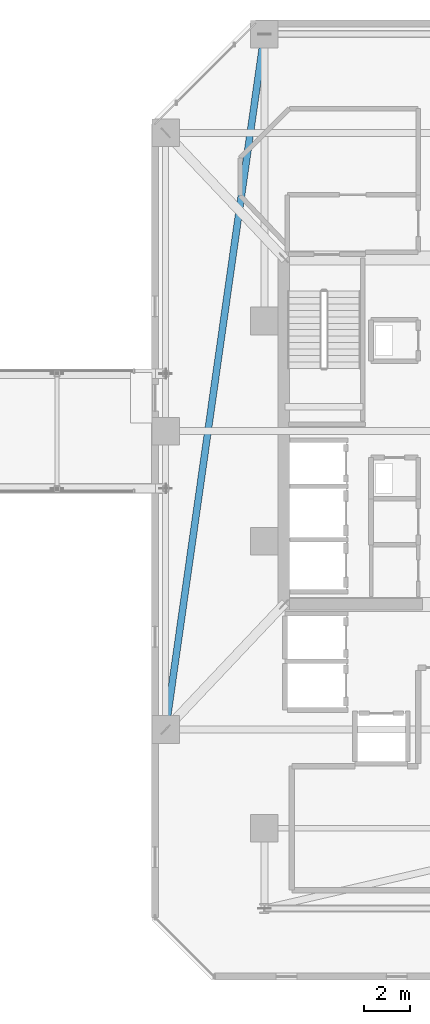
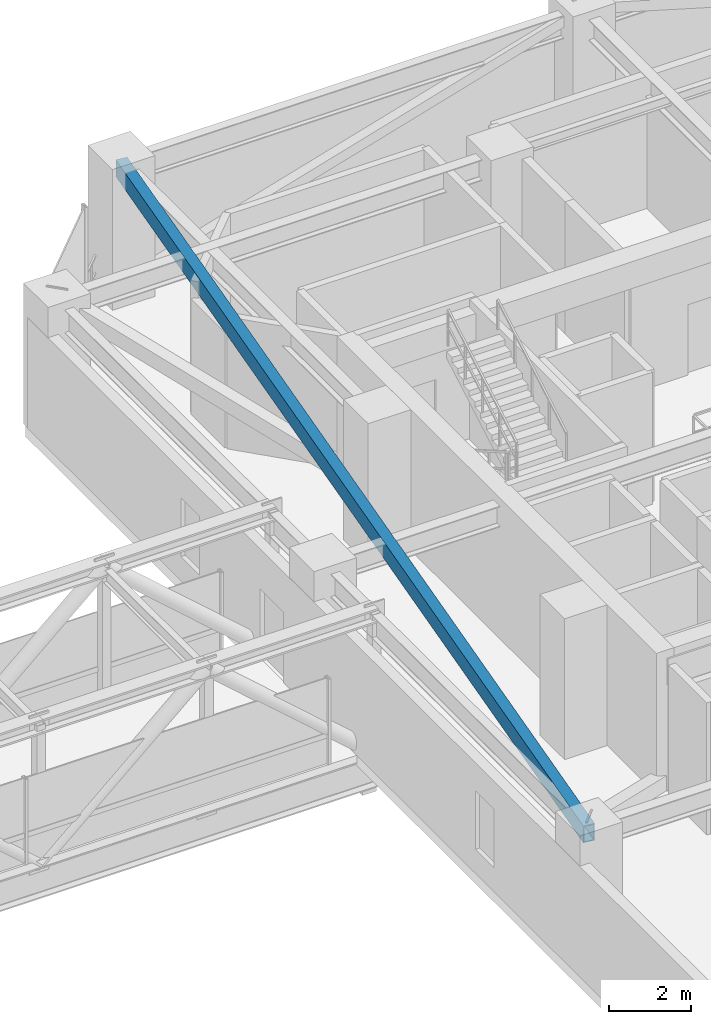
# One storey, part 20 of 45: 1 beam.
"""IFC4 building model written with IfcOpenShell, lengths in metres."""

from ifc_helpers import new_model, si_unit, direction, frame, origin, origin_2d, place, context, subcontext, project, spatial, hollow_rectangle, extrude, material, material_profile, profile_set, type_object, element, save


model = new_model("IFC4")

# Units and contexts
model_context = context("Model", 3, precision=1e-05, world=origin(), true_north=direction((0.0, 1.0)))
body_context = subcontext(model_context, "Body", "Model", "MODEL_VIEW")
ifc_project = project(units=[si_unit("LENGTHUNIT", "METRE"), si_unit("AREAUNIT", "SQUARE_METRE"), si_unit("VOLUMEUNIT", "CUBIC_METRE"), si_unit("PLANEANGLEUNIT", "RADIAN"), si_unit("MASSUNIT", "GRAM", prefix="KILO")], contexts=[model_context])

# Site, building, storey
site_placement = place(None, origin())
site = spatial("IfcSite", under=ifc_project, at=site_placement, CompositionType="ELEMENT")
building_placement = place(site_placement, origin())
building = spatial("IfcBuilding", under=site, at=building_placement, Name="Thornwick Lancets Civic Towers", CompositionType="ELEMENT")
storey_placement = place(building_placement, frame((0.0, 0.0, 141.300048828125)))
storey = spatial("IfcBuildingStorey", under=building, at=storey_placement, Name="L37", CompositionType="ELEMENT", Elevation=141.300048828125)

# Beam
ifc_material = material(Name="Steel S460M", Category="steel")
ifc_material_profile = material_profile(ifc_material, hollow_rectangle(XDim=0.300048828125, YDim=0.5, WallThickness=0.02001953125, at=origin_2d()), Name="RHS 500x300x20")
ifc_profile_set = profile_set([ifc_material_profile], Name="Steel S460M")
beam_type = type_object("IfcBeamType", Name="BM_RING_RHS500", PredefinedType="BEAM", material=ifc_profile_set)
beam_placement = place(storey_placement, frame((75.5, 44.300048828125, 3.7099609375), z_axis=(-0.140507712682, -0.990079584012, 0.0), x_axis=(0.990079584012, -0.140507712682, 0.0)))
element("IfcBeam", 1, at=beam_placement, inside=storey, type_object=beam_type, Name="BM-CHAMF-L37-B-C1", PredefinedType="BEAM", context=body_context, shape_type="SweptSolid", body=[
    extrude(hollow_rectangle(XDim=0.300048828125, YDim=0.5, WallThickness=0.02001953125, at=origin_2d()), origin(), (0.0, 0.0, 1.0), 30.603759765625),
])

save(model, "model.ifc")
